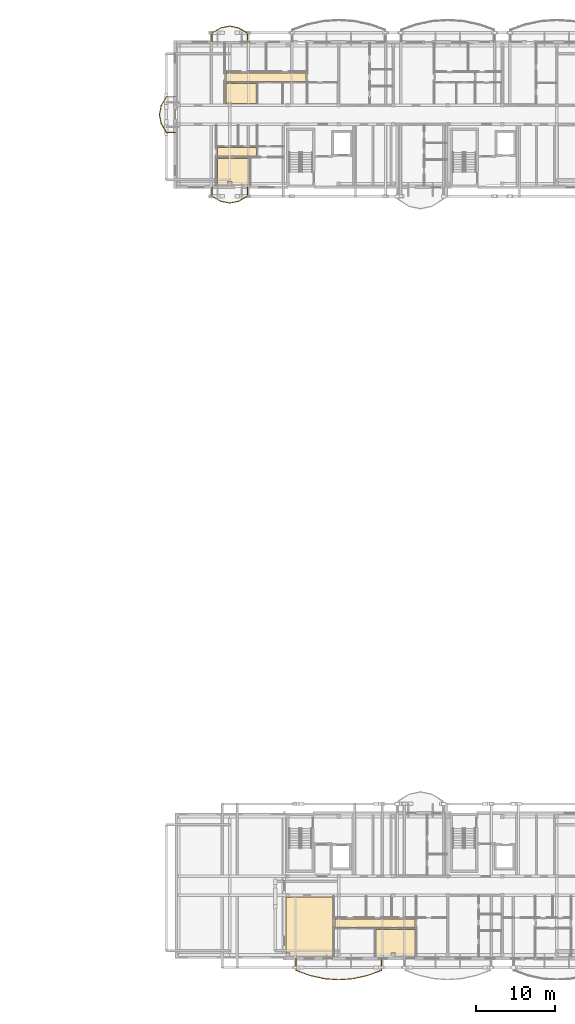
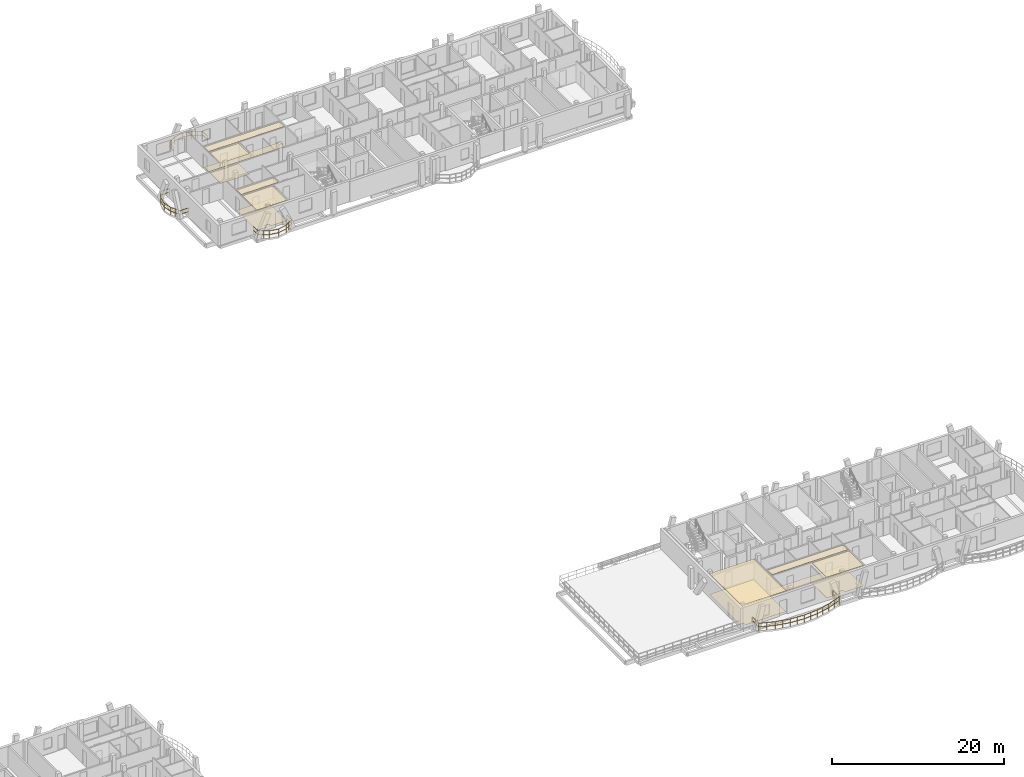
# One storey, part 44 of 48: 14 coverings, 4 railings.
"""IFC4 building model written with IfcOpenShell, lengths in metres."""

import ifcopenshell
import ifcopenshell.guid

model = None  # the IFC model being written
_history = None  # IfcOwnerHistory: only IFC2X3 demands one
_inside = {}  # id of a spatial element -> (the spatial element, [elements in it])
_under = {}  # id of a project, library or spatial element -> (it, [spatial elements below it])
_declared = {}  # id of a project -> (the project, [libraries it declares])
_typed = {}  # id of a type object -> (the type object, [elements of that type])
_made_of = {}  # id of a material, layer set ... -> (it, [elements and type objects made of it])


def new_model(schema):
    """Start an empty IFC model of exactly this schema.

    Asked for "IFC4X3", IfcOpenShell would pick the latest addendum, in which some entities
    have other attributes; the version numbers below select the first issue.
    IFC2X3 requires an IfcOwnerHistory on every rooted entity: one is made here for all.
    """
    global model, _history
    if schema == "IFC4X3":
        model = ifcopenshell.file(schema_version=(4, 3, 0, 0))
    else:
        model = ifcopenshell.file(schema=schema)
    _inside.clear()
    _under.clear()
    _declared.clear()
    _typed.clear()
    _made_of.clear()
    _history = None
    if model.schema == "IFC2X3":
        org = make("IfcOrganization", Name="unknown")
        user = make(
            "IfcPersonAndOrganization",
            ThePerson=make("IfcPerson", FamilyName="unknown"),
            TheOrganization=org,
        )
        app = make(
            "IfcApplication",
            ApplicationDeveloper=org,
            Version="unknown",
            ApplicationFullName="unknown",
            ApplicationIdentifier="unknown",
        )
        _history = make(
            "IfcOwnerHistory",
            OwningUser=user,
            OwningApplication=app,
            ChangeAction="ADDED",
            CreationDate=0,
        )
    return model


def make(cls, **values):
    """One entity of the class cls with the attributes given. An attribute that is None is left unset."""
    return model.create_entity(
        cls, **{name: value for name, value in values.items() if value is not None}
    )


def rooted(cls, **values):
    """An entity with a GlobalId (a new one), such as an element, a storey or a relation."""
    return make(cls, GlobalId=ifcopenshell.guid.new(), OwnerHistory=_history, **values)


def si_unit(unit_type, name, prefix=None):
    """IfcSIUnit, for example si_unit("LENGTHUNIT", "METRE", prefix="MILLI")."""
    return make("IfcSIUnit", UnitType=unit_type, Prefix=prefix, Name=name)


def assignment(units):
    """IfcUnitAssignment: the units of a project."""
    return None if units is None else make("IfcUnitAssignment", Units=units)


def point(xyz):
    """IfcCartesianPoint."""
    return None if xyz is None else make("IfcCartesianPoint", Coordinates=xyz)


def direction(xyz):
    """IfcDirection."""
    return None if xyz is None else make("IfcDirection", DirectionRatios=xyz)


def frame(location, z_axis=None, x_axis=None):
    """IfcAxis2Placement3D, a coordinate frame: its origin and axes. An axis left out is left unset."""
    return make(
        "IfcAxis2Placement3D",
        Location=point(location),
        Axis=direction(z_axis),
        RefDirection=direction(x_axis),
    )


def frame_2d(location, x_axis=None):
    """IfcAxis2Placement2D, a coordinate frame in the plane: its origin and x axis."""
    return make(
        "IfcAxis2Placement2D", Location=point(location), RefDirection=direction(x_axis)
    )


def origin():
    """The frame at (0, 0, 0) with its axes left unset."""
    return frame((0.0, 0.0, 0.0))


def origin_2d():
    """The frame at (0, 0) in the plane with its x axis left unset."""
    return frame_2d((0.0, 0.0))


def place(relative_to, where):
    """IfcLocalPlacement: puts the frame where relative to a parent placement (None: the world)."""
    return make(
        "IfcLocalPlacement", PlacementRelTo=relative_to, RelativePlacement=where
    )


def context(
    kind, dimensions, precision=None, world=None, true_north=None, identifier=None
):
    """IfcGeometricRepresentationContext, for example the 3D "Model" context."""
    return make(
        "IfcGeometricRepresentationContext",
        ContextIdentifier=identifier,
        ContextType=kind,
        CoordinateSpaceDimension=dimensions,
        Precision=precision,
        WorldCoordinateSystem=world,
        TrueNorth=true_north,
    )


def subcontext(parent, identifier, kind, view, scale=None):
    """IfcGeometricRepresentationSubContext, for example "Body" below "Model"."""
    return make(
        "IfcGeometricRepresentationSubContext",
        ContextIdentifier=identifier,
        ContextType=kind,
        ParentContext=parent,
        TargetScale=scale,
        TargetView=view,
    )


def project(units=None, contexts=None):
    """IfcProject with its units and contexts."""
    return rooted(
        "IfcProject",
        Name="project",
        RepresentationContexts=contexts,
        UnitsInContext=assignment(units),
    )


def spatial(cls, under=None, at=None, **own):
    """A site, building, storey or space (cls), placed at a placement, below another one or the project."""
    s = rooted(cls, ObjectPlacement=at, **own)
    if under is not None:
        _under.setdefault(under.id(), (under, []))[1].append(s)
    return s


def polyline(points):
    """IfcPolyline through the points."""
    return make("IfcPolyline", Points=[point(p) for p in points])


def profile(cls, at=None, kind="AREA", **sizes):
    """A parametric profile (cls). Its sizes go by their IFC names, for example OverallWidth=200.0."""
    return make(cls, ProfileType=kind, Position=at, **sizes)


def rectangle(**sizes):
    """IfcRectangleProfileDef."""
    return profile("IfcRectangleProfileDef", **sizes)


def outline(outer, holes=None, kind="AREA"):
    """IfcArbitraryClosedProfileDef: a profile drawn as a closed curve; with holes, ...WithVoids."""
    if holes is None:
        return make("IfcArbitraryClosedProfileDef", ProfileType=kind, OuterCurve=outer)
    return make(
        "IfcArbitraryProfileDefWithVoids",
        ProfileType=kind,
        OuterCurve=outer,
        InnerCurves=holes,
    )


def extrude(swept, where, along, depth):
    """IfcExtrudedAreaSolid: the profile swept, set in the frame where, extruded along a direction by depth."""
    return make(
        "IfcExtrudedAreaSolid",
        SweptArea=swept,
        Position=where,
        ExtrudedDirection=direction(along),
        Depth=depth,
    )


def shape(context_of_items, identifier, shape_type, items):
    """IfcShapeRepresentation: the items that make up one representation, for example the "Body"."""
    return make(
        "IfcShapeRepresentation",
        ContextOfItems=context_of_items,
        RepresentationIdentifier=identifier,
        RepresentationType=shape_type,
        Items=items,
    )


def material(Name=None, Category=None):
    """IfcMaterial."""
    return make("IfcMaterial", Name=Name, Category=Category)


def layer(
    of_material, thickness, ventilated=None, Name=None, Category=None, Priority=None
):
    """IfcMaterialLayer: one layer of a wall or slab, of a material (None: an air gap)."""
    return make(
        "IfcMaterialLayer",
        Material=of_material,
        LayerThickness=thickness,
        IsVentilated=ventilated,
        Name=Name,
        Category=Category,
        Priority=Priority,
    )


def layer_set(layers, Name=None):
    """IfcMaterialLayerSet."""
    return make("IfcMaterialLayerSet", MaterialLayers=layers, LayerSetName=Name)


def made_of(thing, what):
    """Note that an element or type object is made of a material, layer set ...; save() writes the relation."""
    if what is not None:
        _made_of.setdefault(what.id(), (what, []))[1].append(thing)
    return thing


def type_object(cls, material=None, **own):
    """A type object (cls), such as IfcWallType, which elements share."""
    return made_of(rooted(cls, **own), material)


def element(
    cls,
    number,
    at=None,
    inside=None,
    cuts=None,
    type_object=None,
    material=None,
    context=None,
    identifier="Body",
    shape_type=None,
    held_by="IfcProductDefinitionShape",
    body=None,
    shapes=None,
    **own,
):
    """One element of the class cls, such as IfcWall. Its Tag is "e" and its number.

    at: its placement. inside: the storey or other place that contains it. cuts: it is an
    opening in that element (IfcRelVoidsElement). A single representation is given by context,
    identifier, shape_type and body (its items); several are given by shapes. held_by: the class
    of the entity that holds the representations. save() writes the other relations.
    """
    e = rooted(cls, Tag="e%d" % number, ObjectPlacement=at, **own)
    if body is not None:
        shapes = [shape(context, identifier, shape_type, body)]
    if shapes is not None:
        e.Representation = make(held_by, Representations=shapes)
    if inside is not None:
        _inside.setdefault(inside.id(), (inside, []))[1].append(e)
    if cuts is not None:
        rooted(
            "IfcRelVoidsElement", RelatingBuildingElement=cuts, RelatedOpeningElement=e
        )
    if type_object is not None:
        _typed.setdefault(type_object.id(), (type_object, []))[1].append(e)
    return made_of(e, material)


def aggregate(whole, parts):
    """IfcRelAggregates: a whole, such as a stair, and the parts it consists of."""
    return rooted("IfcRelAggregates", RelatingObject=whole, RelatedObjects=parts)


def save(model, path):
    """Write the relations noted so far, then the file.

    IfcRelAggregates (storeys below a building ...), IfcRelContainedInSpatialStructure (elements
    in a storey), IfcRelDefinesByType, IfcRelAssociatesMaterial and IfcRelDeclares: one each for
    every whole, place, type object, material and project.
    """
    for whole, parts in _under.values():
        aggregate(whole, parts)
    for where, things in _inside.values():
        rooted(
            "IfcRelContainedInSpatialStructure",
            RelatedElements=things,
            RelatingStructure=where,
        )
    for kind, things in _typed.values():
        rooted("IfcRelDefinesByType", RelatedObjects=things, RelatingType=kind)
    for what, things in _made_of.values():
        rooted("IfcRelAssociatesMaterial", RelatedObjects=things, RelatingMaterial=what)
    for by, libraries in _declared.values():
        rooted("IfcRelDeclares", RelatingContext=by, RelatedDefinitions=libraries)
    model.write(path)


model = new_model("IFC4")

# Units and contexts
model_context = context("Model", 3, precision=1e-05, world=origin(), true_north=direction((0.0, 1.0)))
body_context = subcontext(model_context, "Body", "Model", "MODEL_VIEW")
ifc_project = project(units=[si_unit("LENGTHUNIT", "METRE"), si_unit("AREAUNIT", "SQUARE_METRE"), si_unit("VOLUMEUNIT", "CUBIC_METRE"), si_unit("PLANEANGLEUNIT", "RADIAN"), si_unit("MASSUNIT", "GRAM", prefix="KILO")], contexts=[model_context])

# Site, building, storey
site_placement = place(None, origin())
site = spatial("IfcSite", under=ifc_project, at=site_placement, CompositionType="ELEMENT")
building_placement = place(site_placement, origin())
building = spatial("IfcBuilding", under=site, at=building_placement, Name="Zavelmont Quarter", CompositionType="ELEMENT")
storey_placement = place(building_placement, frame((0.0, 0.0, 17.60009765625)))
storey = spatial("IfcBuildingStorey", under=building, at=storey_placement, Name="L05", CompositionType="ELEMENT", Elevation=17.60009765625)

# Coverings
ifc_material_1 = material(Name="Perforated acoustic gypsum board")
ifc_layer_1 = layer(ifc_material_1, 0.02490234375)
ifc_layer_set_1 = layer_set([ifc_layer_1], Name="Perforated acoustic gypsum board")
covering_type_1 = type_object("IfcCoveringType", Name="CV-CL01", PredefinedType="CEILING", material=ifc_layer_set_1)
covering_1_placement = place(storey_placement, frame((0.0, 0.0, 2.885009765625)))
element("IfcCovering", 1, at=covering_1_placement, inside=storey, type_object=covering_type_1, Name="L05 Kitchen acoustic ceiling", PredefinedType="CEILING", context=body_context, shape_type="SweptSolid", body=[
    extrude(outline(polyline([(119.22998046875, 110.719970703125), (123.070068359375, 110.719970703125), (123.070068359375, 108.22998046875), (119.965087890625, 108.22998046875), (119.965087890625, 108.264892578125), (119.43505859375, 108.264892578125), (119.43505859375, 108.22998046875), (119.22998046875, 108.22998046875), (119.22998046875, 110.719970703125)])), origin(), (0.0, 0.0, 1.0), 0.02490234375),
])
covering_2_placement = place(storey_placement, frame((0.0, 0.0, 2.885009765625)))
element("IfcCovering", 2, at=covering_2_placement, inside=storey, type_object=covering_type_1, Name="L05 Master Bedroom acoustic ceiling", PredefinedType="CEILING", context=body_context, shape_type="SweptSolid", body=[
    extrude(outline(polyline([(118.1298828125, 101.27001953125), (122.169921875, 101.27001953125), (122.169921875, 97.8798828125), (119.965087890625, 97.8798828125), (119.965087890625, 98.304931640625), (119.43505859375, 98.304931640625), (119.43505859375, 97.8798828125), (118.1298828125, 97.8798828125), (118.1298828125, 101.27001953125)])), origin(), (0.0, 0.0, 1.0), 0.02490234375),
])
covering_3_placement = place(storey_placement, frame((0.0, 0.0, 2.9248046875)))
element("IfcCovering", 3, at=covering_3_placement, inside=storey, type_object=covering_type_1, Name="L05 Living Dining acoustic ceiling", PredefinedType="CEILING", context=body_context, shape_type="SweptSolid", body=[
    extrude(outline(polyline([(126.830078125, 7.735107421875), (127.304931640625, 7.735107421875), (127.304931640625, 7.77001953125), (132.77001953125, 7.77001953125), (132.77001953125, 0.280029296875), (127.304931640625, 0.280029296875), (127.304931640625, 0.705078125), (126.830078125, 0.705078125), (126.830078125, 7.735107421875)])), origin(), (0.0, 0.0, 1.0), 0.025146484375),
])
covering_4_placement = place(storey_placement, frame((0.0, 0.0, 2.9248046875)))
element("IfcCovering", 4, at=covering_4_placement, inside=storey, type_object=covering_type_1, Name="L05 Double Bedroom acoustic ceiling", PredefinedType="CEILING", context=body_context, shape_type="SweptSolid", body=[
    extrude(outline(polyline([(138.22998046875, 3.669921875), (143.169921875, 3.669921875), (143.169921875, 0.280029296875), (140.6650390625, 0.280029296875), (140.6650390625, 0.705078125), (140.135009765625, 0.705078125), (140.135009765625, 0.280029296875), (138.22998046875, 0.280029296875), (138.22998046875, 3.669921875)])), origin(), (0.0, 0.0, 1.0), 0.025146484375),
])
ifc_material_2 = material(Name="Slatted European ash acoustic baffle ceiling")
ifc_layer_2 = layer(ifc_material_2, 0.0400390625)
ifc_layer_set_2 = layer_set([ifc_layer_2], Name="Slatted European ash acoustic baffle ceiling")
covering_type_2 = type_object("IfcCoveringType", Name="CV-CL02", PredefinedType="CEILING", material=ifc_layer_set_2)
covering_5_placement = place(storey_placement, frame((0.0, 0.0, 2.869873046875)))
element("IfcCovering", 5, at=covering_5_placement, inside=storey, type_object=covering_type_2, Name="L05 Apartment Hall acoustic ceiling", PredefinedType="CEILING", context=body_context, shape_type="SweptSolid", body=[
    extrude(outline(polyline([(119.22998046875, 112.070068359375), (129.3701171875, 112.070068359375), (129.3701171875, 110.97998046875), (119.22998046875, 110.97998046875), (119.22998046875, 112.070068359375)])), origin(), (0.0, 0.0, 1.0), 0.0400390625),
])
covering_6_placement = place(storey_placement, frame((0.0, 0.0, 2.869873046875)))
element("IfcCovering", 6, at=covering_6_placement, inside=storey, type_object=covering_type_2, Name="L05 Apartment Hall acoustic ceiling", PredefinedType="CEILING", context=body_context, shape_type="SweptSolid", body=[
    extrude(outline(polyline([(118.1298828125, 102.6201171875), (123.070068359375, 102.6201171875), (123.070068359375, 101.530029296875), (118.1298828125, 101.530029296875), (118.1298828125, 102.6201171875)])), origin(), (0.0, 0.0, 1.0), 0.0400390625),
])
covering_7_placement = place(storey_placement, frame((0.0, 0.0, 2.909912109375)))
element("IfcCovering", 7, at=covering_7_placement, inside=storey, type_object=covering_type_2, Name="L05 Apartment Hall acoustic ceiling", PredefinedType="CEILING", context=body_context, shape_type="SweptSolid", body=[
    extrude(outline(polyline([(133.030029296875, 5.02001953125), (143.169921875, 5.02001953125), (143.169921875, 3.929931640625), (133.030029296875, 3.929931640625), (133.030029296875, 5.02001953125)])), origin(), (0.0, 0.0, 1.0), 0.0400390625),
])
ifc_material_3 = material(Name="Engineered European oak parquet")
ifc_layer_3 = layer(ifc_material_3, 0.02197265625)
ifc_layer_set_3 = layer_set([ifc_layer_3], Name="Engineered European oak parquet")
covering_type_3 = type_object("IfcCoveringType", Name="CV-FL01", PredefinedType="FLOORING", material=ifc_layer_set_3)
covering_8_placement = place(storey_placement, origin())
element("IfcCovering", 8, at=covering_8_placement, inside=storey, type_object=covering_type_3, Name="L05 Kitchen floor finish", PredefinedType="FLOORING", context=body_context, shape_type="SweptSolid", body=[
    extrude(outline(polyline([(119.22998046875, 110.719970703125), (123.070068359375, 110.719970703125), (123.070068359375, 108.22998046875), (119.965087890625, 108.22998046875), (119.965087890625, 108.264892578125), (119.43505859375, 108.264892578125), (119.43505859375, 108.22998046875), (119.22998046875, 108.22998046875), (119.22998046875, 110.719970703125)])), origin(), (0.0, 0.0, 1.0), 0.02197265625),
])
covering_9_placement = place(storey_placement, origin())
element("IfcCovering", 9, at=covering_9_placement, inside=storey, type_object=covering_type_3, Name="L05 Master Bedroom floor finish", PredefinedType="FLOORING", context=body_context, shape_type="SweptSolid", body=[
    extrude(outline(polyline([(118.1298828125, 101.27001953125), (122.169921875, 101.27001953125), (122.169921875, 97.8798828125), (119.965087890625, 97.8798828125), (119.965087890625, 98.304931640625), (119.43505859375, 98.304931640625), (119.43505859375, 97.8798828125), (118.1298828125, 97.8798828125), (118.1298828125, 101.27001953125)])), origin(), (0.0, 0.0, 1.0), 0.02197265625),
])
covering_10_placement = place(storey_placement, origin())
element("IfcCovering", 10, at=covering_10_placement, inside=storey, type_object=covering_type_3, Name="L05 Living Dining floor finish", PredefinedType="FLOORING", context=body_context, shape_type="SweptSolid", body=[
    extrude(outline(polyline([(126.830078125, 7.735107421875), (127.304931640625, 7.735107421875), (127.304931640625, 7.77001953125), (132.77001953125, 7.77001953125), (132.77001953125, 0.280029296875), (127.304931640625, 0.280029296875), (127.304931640625, 0.705078125), (126.830078125, 0.705078125), (126.830078125, 7.735107421875)])), origin(), (0.0, 0.0, 1.0), 0.02197265625),
])
covering_11_placement = place(storey_placement, origin())
element("IfcCovering", 11, at=covering_11_placement, inside=storey, type_object=covering_type_3, Name="L05 Double Bedroom floor finish", PredefinedType="FLOORING", context=body_context, shape_type="SweptSolid", body=[
    extrude(outline(polyline([(138.22998046875, 3.669921875), (143.169921875, 3.669921875), (143.169921875, 0.280029296875), (140.6650390625, 0.280029296875), (140.6650390625, 0.705078125), (140.135009765625, 0.705078125), (140.135009765625, 0.280029296875), (138.22998046875, 0.280029296875), (138.22998046875, 3.669921875)])), origin(), (0.0, 0.0, 1.0), 0.02197265625),
])
ifc_material_4 = material(Name="Honed Belgian bluestone tile", Category="masonry")
ifc_layer_4 = layer(ifc_material_4, 0.030029296875)
ifc_layer_set_4 = layer_set([ifc_layer_4], Name="Honed Belgian bluestone tile")
covering_type_4 = type_object("IfcCoveringType", Name="CV-FL02", PredefinedType="FLOORING", material=ifc_layer_set_4)
covering_12_placement = place(storey_placement, origin())
element("IfcCovering", 12, at=covering_12_placement, inside=storey, type_object=covering_type_4, Name="L05 Apartment Hall floor finish", PredefinedType="FLOORING", context=body_context, shape_type="SweptSolid", body=[
    extrude(outline(polyline([(119.22998046875, 112.070068359375), (129.3701171875, 112.070068359375), (129.3701171875, 110.97998046875), (119.22998046875, 110.97998046875), (119.22998046875, 112.070068359375)])), origin(), (0.0, 0.0, 1.0), 0.02978515625),
])
covering_13_placement = place(storey_placement, origin())
element("IfcCovering", 13, at=covering_13_placement, inside=storey, type_object=covering_type_4, Name="L05 Apartment Hall floor finish", PredefinedType="FLOORING", context=body_context, shape_type="SweptSolid", body=[
    extrude(outline(polyline([(118.1298828125, 102.6201171875), (123.070068359375, 102.6201171875), (123.070068359375, 101.530029296875), (118.1298828125, 101.530029296875), (118.1298828125, 102.6201171875)])), origin(), (0.0, 0.0, 1.0), 0.02978515625),
])
covering_14_placement = place(storey_placement, origin())
element("IfcCovering", 14, at=covering_14_placement, inside=storey, type_object=covering_type_4, Name="L05 Apartment Hall floor finish", PredefinedType="FLOORING", context=body_context, shape_type="SweptSolid", body=[
    extrude(outline(polyline([(133.030029296875, 5.02001953125), (143.169921875, 5.02001953125), (143.169921875, 3.929931640625), (133.030029296875, 3.929931640625), (133.030029296875, 5.02001953125)])), origin(), (0.0, 0.0, 1.0), 0.02978515625),
])

# Railings
ifc_material_5 = material(Name="Powder-coated steel and tempered double safety glass", Category="steel")
railing_type = type_object("IfcRailingType", Name="RL-BAL1", PredefinedType="BALUSTRADE", material=ifc_material_5)
railing_1_placement = place(storey_placement, frame((121.95849609375, 116.02001953125, 0.0)))
element("IfcRailing", 15, at=railing_1_placement, inside=storey, type_object=railing_type, Name="L05 Block C curved balcony guard RL-BAL1", PredefinedType="BALUSTRADE", context=body_context, shape_type="SweptSolid", body=[
    extrude(rectangle(XDim=0.048095703125, YDim=0.048095703125, at=origin_2d()), frame((0.0, 0.0, 1.076171875), z_axis=(0.0, 1.0, 0.0), x_axis=(-1.0, 0.0, 0.0)), (0.0, 0.0, 1.0), 1.1005859375),
    extrude(rectangle(XDim=0.048095703125, YDim=0.048095703125, at=origin_2d()), frame((0.0, 0.0, 0.550048828125), z_axis=(0.0, 1.0, 0.0), x_axis=(-1.0, 0.0, 0.0)), (0.0, 0.0, 1.0), 1.1005859375),
    extrude(rectangle(XDim=0.048095703125, YDim=0.048095703125, at=origin_2d()), frame((0.0, 1.1005859375, 1.076171875), z_axis=(-0.863202949661, 0.504857076504, 0.0), x_axis=(-0.504857076504, -0.863202949661, 0.0)), (0.0, 0.0, 1.0), 1.30810546875),
    extrude(rectangle(XDim=0.048095703125, YDim=0.048095703125, at=origin_2d()), frame((0.0, 1.1005859375, 0.550048828125), z_axis=(-0.863202949661, 0.504857076504, 0.0), x_axis=(-0.504857076504, -0.863202949661, 0.0)), (0.0, 0.0, 1.0), 1.30810546875),
    extrude(rectangle(XDim=0.048095703125, YDim=0.048095703125, at=origin_2d()), frame((-1.129150390625, 1.760986328125, 1.076171875), z_axis=(-0.981555709835, 0.191176328267, 0.0), x_axis=(-0.191176328267, -0.981555709835, 0.0)), (0.0, 0.0, 1.0), 1.150634765625),
    extrude(rectangle(XDim=0.048095703125, YDim=0.048095703125, at=origin_2d()), frame((-1.129150390625, 1.760986328125, 0.550048828125), z_axis=(-0.981555709835, 0.191176328267, 0.0), x_axis=(-0.191176328267, -0.981555709835, 0.0)), (0.0, 0.0, 1.0), 1.150634765625),
    extrude(rectangle(XDim=0.048095703125, YDim=0.048095703125, at=origin_2d()), frame((-2.258544921875, 1.98095703125, 1.076171875), z_axis=(-0.981547952488, -0.191216152474, 0.0), x_axis=(0.191216152474, -0.981547952488, 0.0)), (0.0, 0.0, 1.0), 1.150390625),
    extrude(rectangle(XDim=0.048095703125, YDim=0.048095703125, at=origin_2d()), frame((-2.258544921875, 1.98095703125, 0.550048828125), z_axis=(-0.981547952488, -0.191216152474, 0.0), x_axis=(0.191216152474, -0.981547952488, 0.0)), (0.0, 0.0, 1.0), 1.150390625),
    extrude(rectangle(XDim=0.048095703125, YDim=0.048095703125, at=origin_2d()), frame((-3.3876953125, 1.760986328125, 1.076171875), z_axis=(-0.863250508707, -0.504775751416, 0.0), x_axis=(0.504775751416, -0.863250508707, 0.0)), (0.0, 0.0, 1.0), 1.308349609375),
    extrude(rectangle(XDim=0.048095703125, YDim=0.048095703125, at=origin_2d()), frame((-3.3876953125, 1.760986328125, 0.550048828125), z_axis=(-0.863250508707, -0.504775751416, 0.0), x_axis=(0.504775751416, -0.863250508707, 0.0)), (0.0, 0.0, 1.0), 1.308349609375),
    extrude(rectangle(XDim=0.048095703125, YDim=0.048095703125, at=origin_2d()), frame((-4.51708984375, 1.1005859375, 1.076171875), z_axis=(0.0, -1.0, 0.0), x_axis=(1.0, 0.0, 0.0)), (0.0, 0.0, 1.0), 1.1005859375),
    extrude(rectangle(XDim=0.048095703125, YDim=0.048095703125, at=origin_2d()), frame((-4.51708984375, 1.1005859375, 0.550048828125), z_axis=(0.0, -1.0, 0.0), x_axis=(1.0, 0.0, 0.0)), (0.0, 0.0, 1.0), 1.1005859375),
    extrude(rectangle(XDim=0.0419921875, YDim=0.0419921875, at=origin_2d()), origin(), (0.0, 0.0, 1.0), 1.052001953125),
    extrude(rectangle(XDim=0.0419921875, YDim=0.0419921875, at=origin_2d()), frame((0.0, 1.1005859375, 0.0)), (0.0, 0.0, 1.0), 1.052001953125),
    extrude(rectangle(XDim=0.0419921875, YDim=0.0419921875, at=origin_2d()), frame((-0.564453125, 1.4306640625, 0.0)), (0.0, 0.0, 1.0), 1.052001953125),
    extrude(rectangle(XDim=0.0419921875, YDim=0.0419921875, at=origin_2d()), frame((-1.129150390625, 1.760986328125, 0.0)), (0.0, 0.0, 1.0), 1.052001953125),
    extrude(rectangle(XDim=0.0419921875, YDim=0.0419921875, at=origin_2d()), frame((-2.258544921875, 1.98095703125, 0.0)), (0.0, 0.0, 1.0), 1.052001953125),
    extrude(rectangle(XDim=0.0419921875, YDim=0.0419921875, at=origin_2d()), frame((-3.3876953125, 1.760986328125, 0.0)), (0.0, 0.0, 1.0), 1.052001953125),
    extrude(rectangle(XDim=0.0419921875, YDim=0.0419921875, at=origin_2d()), frame((-3.952392578125, 1.4306640625, 0.0)), (0.0, 0.0, 1.0), 1.052001953125),
    extrude(rectangle(XDim=0.0419921875, YDim=0.0419921875, at=origin_2d()), frame((-4.51708984375, 1.1005859375, 0.0)), (0.0, 0.0, 1.0), 1.052001953125),
    extrude(rectangle(XDim=0.0419921875, YDim=0.0419921875, at=origin_2d()), frame((-4.51708984375, 0.0, 0.0)), (0.0, 0.0, 1.0), 1.052001953125),
])
railing_2_placement = place(storey_placement, frame((112.780029296875, 109.05859375, 0.0)))
element("IfcRailing", 16, at=railing_2_placement, inside=storey, type_object=railing_type, Name="L05 Block C curved balcony guard RL-BAL1", PredefinedType="BALUSTRADE", context=body_context, shape_type="SweptSolid", body=[
    extrude(rectangle(XDim=0.048095703125, YDim=0.048095703125, at=origin_2d()), frame((0.0, 0.0, 1.076171875), z_axis=(-1.0, 0.0, 0.0), x_axis=(0.0, -1.0, 0.0)), (0.0, 0.0, 1.0), 1.1005859375),
    extrude(rectangle(XDim=0.048095703125, YDim=0.048095703125, at=origin_2d()), frame((0.0, 0.0, 0.550048828125), z_axis=(-1.0, 0.0, 0.0), x_axis=(0.0, -1.0, 0.0)), (0.0, 0.0, 1.0), 1.1005859375),
    extrude(rectangle(XDim=0.048095703125, YDim=0.048095703125, at=origin_2d()), frame((-1.1005859375, 0.0, 1.076171875), z_axis=(-0.504775751416, -0.863250508707, 0.0), x_axis=(0.863250508707, -0.504775751416, 0.0)), (0.0, 0.0, 1.0), 1.308349609375),
    extrude(rectangle(XDim=0.048095703125, YDim=0.048095703125, at=origin_2d()), frame((-1.1005859375, 0.0, 0.550048828125), z_axis=(-0.504775751416, -0.863250508707, 0.0), x_axis=(0.863250508707, -0.504775751416, 0.0)), (0.0, 0.0, 1.0), 1.308349609375),
    extrude(rectangle(XDim=0.048095703125, YDim=0.048095703125, at=origin_2d()), frame((-1.760986328125, -1.12939453125, 1.076171875), z_axis=(-0.191216152474, -0.981547952488, 0.0), x_axis=(0.981547952488, -0.191216152474, 0.0)), (0.0, 0.0, 1.0), 1.150390625),
    extrude(rectangle(XDim=0.048095703125, YDim=0.048095703125, at=origin_2d()), frame((-1.760986328125, -1.12939453125, 0.550048828125), z_axis=(-0.191216152474, -0.981547952488, 0.0), x_axis=(0.981547952488, -0.191216152474, 0.0)), (0.0, 0.0, 1.0), 1.150390625),
    extrude(rectangle(XDim=0.048095703125, YDim=0.048095703125, at=origin_2d()), frame((-1.98095703125, -2.258544921875, 1.076171875), z_axis=(0.191176328267, -0.981555709835, 0.0), x_axis=(0.981555709835, 0.191176328267, 0.0)), (0.0, 0.0, 1.0), 1.150634765625),
    extrude(rectangle(XDim=0.048095703125, YDim=0.048095703125, at=origin_2d()), frame((-1.98095703125, -2.258544921875, 0.550048828125), z_axis=(0.191176328267, -0.981555709835, 0.0), x_axis=(0.981555709835, 0.191176328267, 0.0)), (0.0, 0.0, 1.0), 1.150634765625),
    extrude(rectangle(XDim=0.048095703125, YDim=0.048095703125, at=origin_2d()), frame((-1.760986328125, -3.387939453125, 1.076171875), z_axis=(0.504857076504, -0.863202949661, 0.0), x_axis=(0.863202949661, 0.504857076504, 0.0)), (0.0, 0.0, 1.0), 1.30810546875),
    extrude(rectangle(XDim=0.048095703125, YDim=0.048095703125, at=origin_2d()), frame((-1.760986328125, -3.387939453125, 0.550048828125), z_axis=(0.504857076504, -0.863202949661, 0.0), x_axis=(0.863202949661, 0.504857076504, 0.0)), (0.0, 0.0, 1.0), 1.30810546875),
    extrude(rectangle(XDim=0.048095703125, YDim=0.048095703125, at=origin_2d()), frame((-1.1005859375, -4.51708984375, 1.076171875), z_axis=(1.0, 0.0, 0.0), x_axis=(0.0, 1.0, 0.0)), (0.0, 0.0, 1.0), 1.1005859375),
    extrude(rectangle(XDim=0.048095703125, YDim=0.048095703125, at=origin_2d()), frame((-1.1005859375, -4.51708984375, 0.550048828125), z_axis=(1.0, 0.0, 0.0), x_axis=(0.0, 1.0, 0.0)), (0.0, 0.0, 1.0), 1.1005859375),
    extrude(rectangle(XDim=0.0419921875, YDim=0.0419921875, at=origin_2d()), origin(), (0.0, 0.0, 1.0), 1.052001953125),
    extrude(rectangle(XDim=0.0419921875, YDim=0.0419921875, at=origin_2d()), frame((-1.1005859375, 0.0, 0.0)), (0.0, 0.0, 1.0), 1.052001953125),
    extrude(rectangle(XDim=0.0419921875, YDim=0.0419921875, at=origin_2d()), frame((-1.4306640625, -0.564697265625, 0.0)), (0.0, 0.0, 1.0), 1.052001953125),
    extrude(rectangle(XDim=0.0419921875, YDim=0.0419921875, at=origin_2d()), frame((-1.760986328125, -1.12939453125, 0.0)), (0.0, 0.0, 1.0), 1.052001953125),
    extrude(rectangle(XDim=0.0419921875, YDim=0.0419921875, at=origin_2d()), frame((-1.98095703125, -2.258544921875, 0.0)), (0.0, 0.0, 1.0), 1.052001953125),
    extrude(rectangle(XDim=0.0419921875, YDim=0.0419921875, at=origin_2d()), frame((-1.760986328125, -3.387939453125, 0.0)), (0.0, 0.0, 1.0), 1.052001953125),
    extrude(rectangle(XDim=0.0419921875, YDim=0.0419921875, at=origin_2d()), frame((-1.4306640625, -3.95263671875, 0.0)), (0.0, 0.0, 1.0), 1.052001953125),
    extrude(rectangle(XDim=0.0419921875, YDim=0.0419921875, at=origin_2d()), frame((-1.1005859375, -4.51708984375, 0.0)), (0.0, 0.0, 1.0), 1.052001953125),
    extrude(rectangle(XDim=0.0419921875, YDim=0.0419921875, at=origin_2d()), frame((0.0, -4.51708984375, 0.0)), (0.0, 0.0, 1.0), 1.052001953125),
])
railing_3_placement = place(storey_placement, frame((117.44140625, 97.580078125, 0.0)))
element("IfcRailing", 17, at=railing_3_placement, inside=storey, type_object=railing_type, Name="L05 Block C curved balcony guard RL-BAL1", PredefinedType="BALUSTRADE", context=body_context, shape_type="SweptSolid", body=[
    extrude(rectangle(XDim=0.048095703125, YDim=0.048095703125, at=origin_2d()), frame((0.0, 0.0, 1.076171875), z_axis=(0.0, -1.0, 0.0), x_axis=(1.0, 0.0, 0.0)), (0.0, 0.0, 1.0), 1.1005859375),
    extrude(rectangle(XDim=0.048095703125, YDim=0.048095703125, at=origin_2d()), frame((0.0, 0.0, 0.550048828125), z_axis=(0.0, -1.0, 0.0), x_axis=(1.0, 0.0, 0.0)), (0.0, 0.0, 1.0), 1.1005859375),
    extrude(rectangle(XDim=0.048095703125, YDim=0.048095703125, at=origin_2d()), frame((0.0, -1.1005859375, 1.076171875), z_axis=(0.863250508707, -0.504775751416, 0.0), x_axis=(0.504775751416, 0.863250508707, 0.0)), (0.0, 0.0, 1.0), 1.308349609375),
    extrude(rectangle(XDim=0.048095703125, YDim=0.048095703125, at=origin_2d()), frame((0.0, -1.1005859375, 0.550048828125), z_axis=(0.863250508707, -0.504775751416, 0.0), x_axis=(0.504775751416, 0.863250508707, 0.0)), (0.0, 0.0, 1.0), 1.308349609375),
    extrude(rectangle(XDim=0.048095703125, YDim=0.048095703125, at=origin_2d()), frame((1.12939453125, -1.760986328125, 1.076171875), z_axis=(0.981547952488, -0.191216152474, 0.0), x_axis=(0.191216152474, 0.981547952488, 0.0)), (0.0, 0.0, 1.0), 1.150390625),
    extrude(rectangle(XDim=0.048095703125, YDim=0.048095703125, at=origin_2d()), frame((1.12939453125, -1.760986328125, 0.550048828125), z_axis=(0.981547952488, -0.191216152474, 0.0), x_axis=(0.191216152474, 0.981547952488, 0.0)), (0.0, 0.0, 1.0), 1.150390625),
    extrude(rectangle(XDim=0.048095703125, YDim=0.048095703125, at=origin_2d()), frame((2.258544921875, -1.98095703125, 1.076171875), z_axis=(0.981555709835, 0.191176328267, 0.0), x_axis=(-0.191176328267, 0.981555709835, 0.0)), (0.0, 0.0, 1.0), 1.150634765625),
    extrude(rectangle(XDim=0.048095703125, YDim=0.048095703125, at=origin_2d()), frame((2.258544921875, -1.98095703125, 0.550048828125), z_axis=(0.981555709835, 0.191176328267, 0.0), x_axis=(-0.191176328267, 0.981555709835, 0.0)), (0.0, 0.0, 1.0), 1.150634765625),
    extrude(rectangle(XDim=0.048095703125, YDim=0.048095703125, at=origin_2d()), frame((3.387939453125, -1.760986328125, 1.076171875), z_axis=(0.863202949661, 0.504857076504, 0.0), x_axis=(-0.504857076504, 0.863202949661, 0.0)), (0.0, 0.0, 1.0), 1.30810546875),
    extrude(rectangle(XDim=0.048095703125, YDim=0.048095703125, at=origin_2d()), frame((3.387939453125, -1.760986328125, 0.550048828125), z_axis=(0.863202949661, 0.504857076504, 0.0), x_axis=(-0.504857076504, 0.863202949661, 0.0)), (0.0, 0.0, 1.0), 1.30810546875),
    extrude(rectangle(XDim=0.048095703125, YDim=0.048095703125, at=origin_2d()), frame((4.51708984375, -1.1005859375, 1.076171875), z_axis=(0.0, 1.0, 0.0), x_axis=(-1.0, 0.0, 0.0)), (0.0, 0.0, 1.0), 1.1005859375),
    extrude(rectangle(XDim=0.048095703125, YDim=0.048095703125, at=origin_2d()), frame((4.51708984375, -1.1005859375, 0.550048828125), z_axis=(0.0, 1.0, 0.0), x_axis=(-1.0, 0.0, 0.0)), (0.0, 0.0, 1.0), 1.1005859375),
    extrude(rectangle(XDim=0.0419921875, YDim=0.0419921875, at=origin_2d()), origin(), (0.0, 0.0, 1.0), 1.052001953125),
    extrude(rectangle(XDim=0.0419921875, YDim=0.0419921875, at=origin_2d()), frame((0.0, -1.1005859375, 0.0)), (0.0, 0.0, 1.0), 1.052001953125),
    extrude(rectangle(XDim=0.0419921875, YDim=0.0419921875, at=origin_2d()), frame((0.564697265625, -1.4306640625, 0.0)), (0.0, 0.0, 1.0), 1.052001953125),
    extrude(rectangle(XDim=0.0419921875, YDim=0.0419921875, at=origin_2d()), frame((1.12939453125, -1.760986328125, 0.0)), (0.0, 0.0, 1.0), 1.052001953125),
    extrude(rectangle(XDim=0.0419921875, YDim=0.0419921875, at=origin_2d()), frame((2.258544921875, -1.98095703125, 0.0)), (0.0, 0.0, 1.0), 1.052001953125),
    extrude(rectangle(XDim=0.0419921875, YDim=0.0419921875, at=origin_2d()), frame((3.387939453125, -1.760986328125, 0.0)), (0.0, 0.0, 1.0), 1.052001953125),
    extrude(rectangle(XDim=0.0419921875, YDim=0.0419921875, at=origin_2d()), frame((3.95263671875, -1.4306640625, 0.0)), (0.0, 0.0, 1.0), 1.052001953125),
    extrude(rectangle(XDim=0.0419921875, YDim=0.0419921875, at=origin_2d()), frame((4.51708984375, -1.1005859375, 0.0)), (0.0, 0.0, 1.0), 1.052001953125),
    extrude(rectangle(XDim=0.0419921875, YDim=0.0419921875, at=origin_2d()), frame((4.51708984375, 0.0, 0.0)), (0.0, 0.0, 1.0), 1.052001953125),
])
railing_4_placement = place(storey_placement, frame((128.093017578125, -0.02001953125, 0.0)))
element("IfcRailing", 18, at=railing_4_placement, inside=storey, type_object=railing_type, Name="L05 Block D curved balcony guard RL-BAL1", PredefinedType="BALUSTRADE", context=body_context, shape_type="SweptSolid", body=[
    extrude(rectangle(XDim=0.048095703125, YDim=0.048095703125, at=origin_2d()), frame((0.0, 0.0, 1.076171875), z_axis=(0.0, -1.0, 0.0), x_axis=(1.0, 0.0, 0.0)), (0.0, 0.0, 1.0), 1.495849609375),
    extrude(rectangle(XDim=0.048095703125, YDim=0.048095703125, at=origin_2d()), frame((0.0, 0.0, 0.550048828125), z_axis=(0.0, -1.0, 0.0), x_axis=(1.0, 0.0, 0.0)), (0.0, 0.0, 1.0), 1.495849609375),
    extrude(rectangle(XDim=0.048095703125, YDim=0.048095703125, at=origin_2d()), frame((0.0, -1.495849609375, 1.076171875), z_axis=(0.938741978736, -0.344620802272, 0.0), x_axis=(0.344620802272, 0.938741978736, 0.0)), (0.0, 0.0, 1.0), 1.919921875),
    extrude(rectangle(XDim=0.048095703125, YDim=0.048095703125, at=origin_2d()), frame((0.0, -1.495849609375, 0.550048828125), z_axis=(0.938741978736, -0.344620802272, 0.0), x_axis=(0.344620802272, 0.938741978736, 0.0)), (0.0, 0.0, 1.0), 1.919921875),
    extrude(rectangle(XDim=0.048095703125, YDim=0.048095703125, at=origin_2d()), frame((1.80224609375, -2.157470703125, 1.076171875), z_axis=(0.976568352583, -0.215207464398, 0.0), x_axis=(0.215207464398, 0.976568352583, 0.0)), (0.0, 0.0, 1.0), 1.845703125),
    extrude(rectangle(XDim=0.048095703125, YDim=0.048095703125, at=origin_2d()), frame((1.80224609375, -2.157470703125, 0.550048828125), z_axis=(0.976568352583, -0.215207464398, 0.0), x_axis=(0.215207464398, 0.976568352583, 0.0)), (0.0, 0.0, 1.0), 1.845703125),
    extrude(rectangle(XDim=0.048095703125, YDim=0.048095703125, at=origin_2d()), frame((3.604736328125, -2.5546875, 1.076171875), z_axis=(0.997315465842, -0.073224733471, 0.0), x_axis=(0.073224733471, 0.997315465842, 0.0)), (0.0, 0.0, 1.0), 1.80712890625),
    extrude(rectangle(XDim=0.048095703125, YDim=0.048095703125, at=origin_2d()), frame((3.604736328125, -2.5546875, 0.550048828125), z_axis=(0.997315465842, -0.073224733471, 0.0), x_axis=(0.073224733471, 0.997315465842, 0.0)), (0.0, 0.0, 1.0), 1.80712890625),
    extrude(rectangle(XDim=0.048095703125, YDim=0.048095703125, at=origin_2d()), frame((5.406982421875, -2.68701171875, 1.076171875), z_axis=(0.997315465842, 0.073224733471, 0.0), x_axis=(-0.073224733471, 0.997315465842, 0.0)), (0.0, 0.0, 1.0), 1.80712890625),
    extrude(rectangle(XDim=0.048095703125, YDim=0.048095703125, at=origin_2d()), frame((5.406982421875, -2.68701171875, 0.550048828125), z_axis=(0.997315465842, 0.073224733471, 0.0), x_axis=(-0.073224733471, 0.997315465842, 0.0)), (0.0, 0.0, 1.0), 1.80712890625),
    extrude(rectangle(XDim=0.048095703125, YDim=0.048095703125, at=origin_2d()), frame((7.209228515625, -2.5546875, 1.076171875), z_axis=(0.976568352583, 0.215207464398, 0.0), x_axis=(-0.215207464398, 0.976568352583, 0.0)), (0.0, 0.0, 1.0), 1.845703125),
    extrude(rectangle(XDim=0.048095703125, YDim=0.048095703125, at=origin_2d()), frame((7.209228515625, -2.5546875, 0.550048828125), z_axis=(0.976568352583, 0.215207464398, 0.0), x_axis=(-0.215207464398, 0.976568352583, 0.0)), (0.0, 0.0, 1.0), 1.845703125),
    extrude(rectangle(XDim=0.048095703125, YDim=0.048095703125, at=origin_2d()), frame((9.01171875, -2.157470703125, 1.076171875), z_axis=(0.938741978736, 0.344620802272, 0.0), x_axis=(-0.344620802272, 0.938741978736, 0.0)), (0.0, 0.0, 1.0), 1.919921875),
    extrude(rectangle(XDim=0.048095703125, YDim=0.048095703125, at=origin_2d()), frame((9.01171875, -2.157470703125, 0.550048828125), z_axis=(0.938741978736, 0.344620802272, 0.0), x_axis=(-0.344620802272, 0.938741978736, 0.0)), (0.0, 0.0, 1.0), 1.919921875),
    extrude(rectangle(XDim=0.048095703125, YDim=0.048095703125, at=origin_2d()), frame((10.81396484375, -1.495849609375, 1.076171875), z_axis=(0.0, 1.0, 0.0), x_axis=(-1.0, 0.0, 0.0)), (0.0, 0.0, 1.0), 1.495849609375),
    extrude(rectangle(XDim=0.048095703125, YDim=0.048095703125, at=origin_2d()), frame((10.81396484375, -1.495849609375, 0.550048828125), z_axis=(0.0, 1.0, 0.0), x_axis=(-1.0, 0.0, 0.0)), (0.0, 0.0, 1.0), 1.495849609375),
    extrude(rectangle(XDim=0.0419921875, YDim=0.0419921875, at=origin_2d()), origin(), (0.0, 0.0, 1.0), 1.052001953125),
    extrude(rectangle(XDim=0.0419921875, YDim=0.0419921875, at=origin_2d()), frame((0.0, -0.748046875, 0.0)), (0.0, 0.0, 1.0), 1.052001953125),
    extrude(rectangle(XDim=0.0419921875, YDim=0.0419921875, at=origin_2d()), frame((0.0, -1.495849609375, 0.0)), (0.0, 0.0, 1.0), 1.052001953125),
    extrude(rectangle(XDim=0.0419921875, YDim=0.0419921875, at=origin_2d()), frame((0.901123046875, -1.82666015625, 0.0)), (0.0, 0.0, 1.0), 1.052001953125),
    extrude(rectangle(XDim=0.0419921875, YDim=0.0419921875, at=origin_2d()), frame((1.80224609375, -2.157470703125, 0.0)), (0.0, 0.0, 1.0), 1.052001953125),
    extrude(rectangle(XDim=0.0419921875, YDim=0.0419921875, at=origin_2d()), frame((2.70361328125, -2.35595703125, 0.0)), (0.0, 0.0, 1.0), 1.052001953125),
    extrude(rectangle(XDim=0.0419921875, YDim=0.0419921875, at=origin_2d()), frame((3.604736328125, -2.5546875, 0.0)), (0.0, 0.0, 1.0), 1.052001953125),
    extrude(rectangle(XDim=0.0419921875, YDim=0.0419921875, at=origin_2d()), frame((4.505859375, -2.620849609375, 0.0)), (0.0, 0.0, 1.0), 1.052001953125),
    extrude(rectangle(XDim=0.0419921875, YDim=0.0419921875, at=origin_2d()), frame((5.406982421875, -2.68701171875, 0.0)), (0.0, 0.0, 1.0), 1.052001953125),
    extrude(rectangle(XDim=0.0419921875, YDim=0.0419921875, at=origin_2d()), frame((6.30810546875, -2.620849609375, 0.0)), (0.0, 0.0, 1.0), 1.052001953125),
    extrude(rectangle(XDim=0.0419921875, YDim=0.0419921875, at=origin_2d()), frame((7.209228515625, -2.5546875, 0.0)), (0.0, 0.0, 1.0), 1.052001953125),
    extrude(rectangle(XDim=0.0419921875, YDim=0.0419921875, at=origin_2d()), frame((8.1103515625, -2.35595703125, 0.0)), (0.0, 0.0, 1.0), 1.052001953125),
    extrude(rectangle(XDim=0.0419921875, YDim=0.0419921875, at=origin_2d()), frame((9.01171875, -2.157470703125, 0.0)), (0.0, 0.0, 1.0), 1.052001953125),
    extrude(rectangle(XDim=0.0419921875, YDim=0.0419921875, at=origin_2d()), frame((9.912841796875, -1.82666015625, 0.0)), (0.0, 0.0, 1.0), 1.052001953125),
    extrude(rectangle(XDim=0.0419921875, YDim=0.0419921875, at=origin_2d()), frame((10.81396484375, -1.495849609375, 0.0)), (0.0, 0.0, 1.0), 1.052001953125),
    extrude(rectangle(XDim=0.0419921875, YDim=0.0419921875, at=origin_2d()), frame((10.81396484375, -0.748046875, 0.0)), (0.0, 0.0, 1.0), 1.052001953125),
    extrude(rectangle(XDim=0.0419921875, YDim=0.0419921875, at=origin_2d()), frame((10.81396484375, 0.0, 0.0)), (0.0, 0.0, 1.0), 1.052001953125),
])

save(model, "model.ifc")
